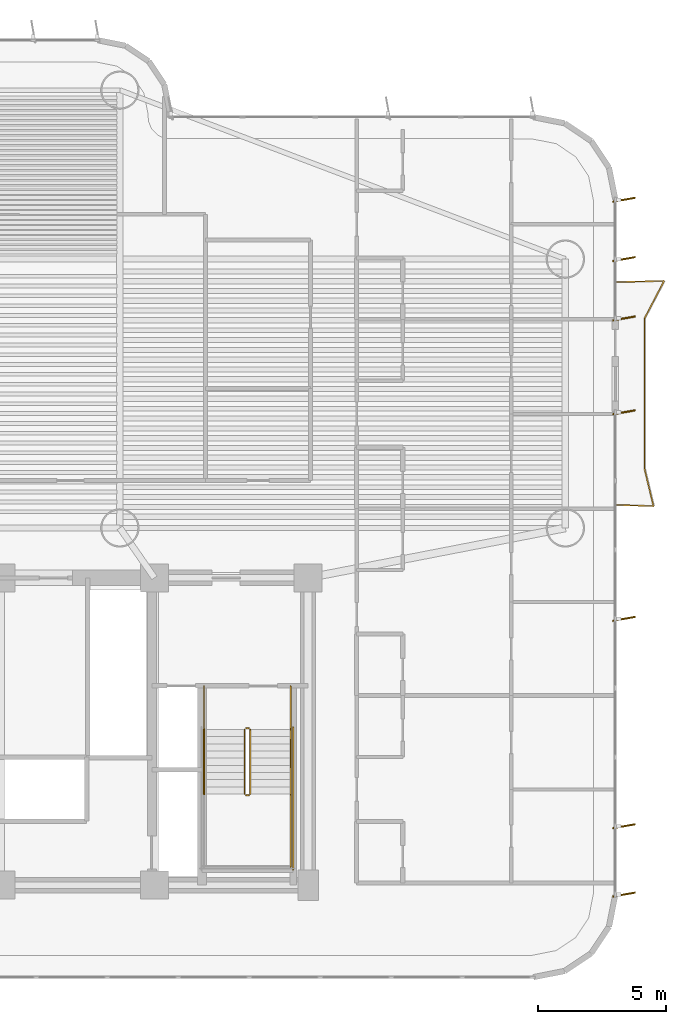
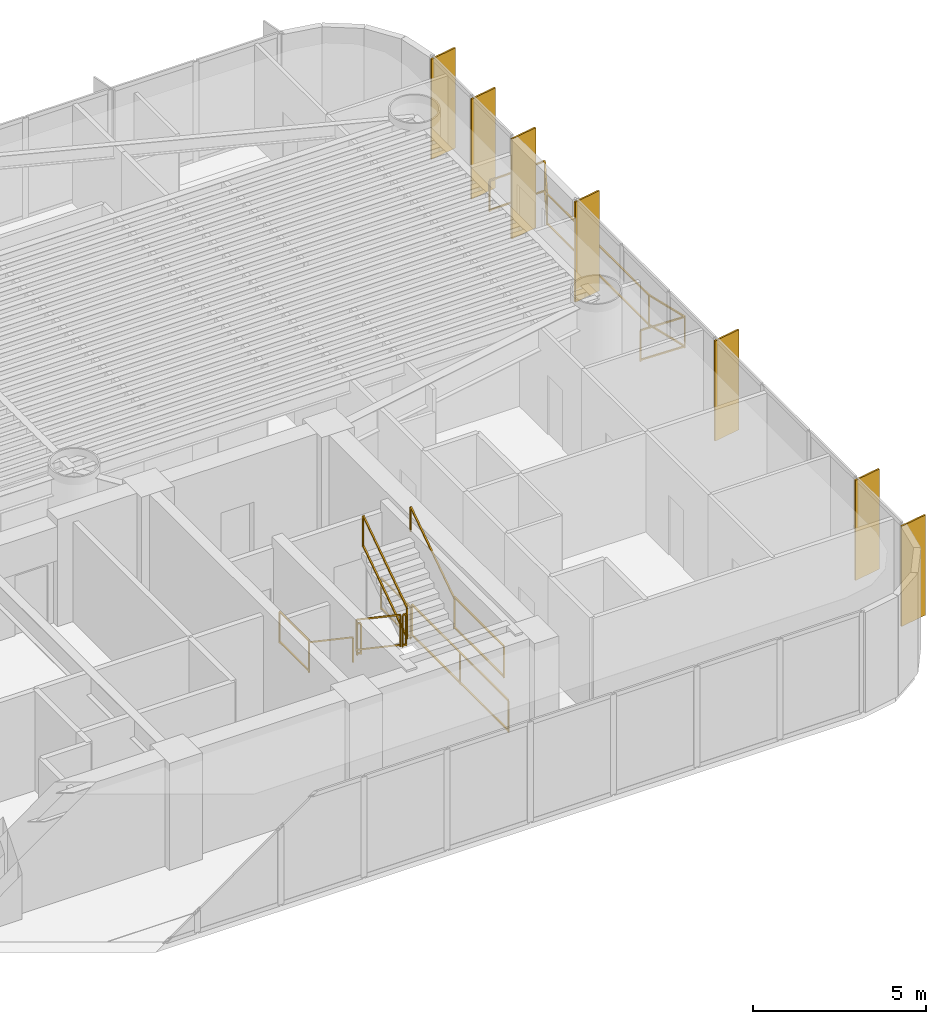
# One storey, part 18 of 19: 11 railings, 7 shading devices.
"""IFC4 building model written with IfcOpenShell, lengths in metres."""

from ifc_helpers import new_model, si_unit, direction, frame, origin, origin_2d, place, context, subcontext, project, spatial, rectangle, extrude, source, transform, mapped, material, layer, layer_set, material_profile, profile_set, type_object, element, save


model = new_model("IFC4")

# Units and contexts
model_context = context("Model", 3, precision=1e-05, world=origin(), true_north=direction((0.0, 1.0)))
body_context = subcontext(model_context, "Body", "Model", "MODEL_VIEW")
ifc_project = project(units=[si_unit("LENGTHUNIT", "METRE"), si_unit("AREAUNIT", "SQUARE_METRE"), si_unit("VOLUMEUNIT", "CUBIC_METRE"), si_unit("PLANEANGLEUNIT", "RADIAN"), si_unit("MASSUNIT", "GRAM", prefix="KILO")], contexts=[model_context])

# Site, building, storey
site_placement = place(None, origin())
site = spatial("IfcSite", under=ifc_project, at=site_placement, CompositionType="ELEMENT")
building_placement = place(site_placement, origin())
building = spatial("IfcBuilding", under=site, at=building_placement, Name="Brelvock Crest Care Tower", CompositionType="ELEMENT")
storey_placement = place(building_placement, frame((0.0, 0.0, 30.780029296875)))
storey = spatial("IfcBuildingStorey", under=building, at=storey_placement, Name="L07", CompositionType="ELEMENT", Elevation=30.780029296875)

# Railings
ifc_material_1 = material(Name="Dark Glass Double Glazed Low-E", Category="glass")
ifc_layer_1 = layer(ifc_material_1, 0.06005859375, Name="RL-BAL1")
ifc_layer_set_1 = layer_set([ifc_layer_1], Name="Dark Glass Double Glazed Low-E")
railing_type_1 = type_object("IfcRailingType", Name="RL-BAL1", PredefinedType="BALUSTRADE", material=ifc_layer_set_1)
railing_1_placement = place(storey_placement, frame((60.0400390625, 20.85009765625, 0.00390625)))
element("IfcRailing", 1, at=railing_1_placement, inside=storey, type_object=railing_type_1, Name="L07 Safety Balustrade WB-E", PredefinedType="BALUSTRADE", context=body_context, shape_type="SweptSolid", body=[
    extrude(rectangle(XDim=0.048095703125, YDim=0.048095703125, at=origin_2d()), frame((0.001953125, 0.0, 1.09619140625), z_axis=(0.999404799616, -0.034497050669, 0.0), x_axis=(0.034497050669, 0.999404799616, 0.0)), (0.0, 0.0, 1.0), 1.44677734375),
    extrude(rectangle(XDim=0.048095703125, YDim=0.048095703125, at=origin_2d()), frame((0.001953125, 0.0, 0.054931640625), z_axis=(0.999404799616, -0.034497050669, 0.0), x_axis=(0.034497050669, 0.999404799616, 0.0)), (0.0, 0.0, 1.0), 1.44677734375),
    extrude(rectangle(XDim=0.048095703125, YDim=0.048095703125, at=origin_2d()), frame((1.449462890625, -0.048095703125, 1.09619140625), z_axis=(-0.232196944837, 0.972668791937, 0.0), x_axis=(-0.972668791937, -0.232196944837, 0.0)), (0.0, 0.0, 1.0), 1.503662109375),
    extrude(rectangle(XDim=0.048095703125, YDim=0.048095703125, at=origin_2d()), frame((1.449462890625, -0.048095703125, 0.054931640625), z_axis=(-0.232196944837, 0.972668791937, 0.0), x_axis=(-0.972668791937, -0.232196944837, 0.0)), (0.0, 0.0, 1.0), 1.503662109375),
    extrude(rectangle(XDim=0.048095703125, YDim=0.048095703125, at=origin_2d()), frame((1.099853515625, 1.41845703125, 1.09619140625), z_axis=(0.000124843944, 0.999999992207, 0.0), x_axis=(-0.999999992207, 0.000124843944, 0.0)), (0.0, 0.0, 1.0), 5.86279296875),
    extrude(rectangle(XDim=0.048095703125, YDim=0.048095703125, at=origin_2d()), frame((1.099853515625, 1.41845703125, 0.054931640625), z_axis=(0.000124843944, 0.999999992207, 0.0), x_axis=(-0.999999992207, 0.000124843944, 0.0)), (0.0, 0.0, 1.0), 5.86279296875),
    extrude(rectangle(XDim=0.048095703125, YDim=0.048095703125, at=origin_2d()), frame((1.1015625, 7.284912109375, 1.09619140625), z_axis=(0.463191013929, 0.88625847506, 0.0), x_axis=(-0.88625847506, 0.463191013929, 0.0)), (0.0, 0.0, 1.0), 1.651123046875),
    extrude(rectangle(XDim=0.048095703125, YDim=0.048095703125, at=origin_2d()), frame((1.1015625, 7.284912109375, 0.054931640625), z_axis=(0.463191013929, 0.88625847506, 0.0), x_axis=(-0.88625847506, 0.463191013929, 0.0)), (0.0, 0.0, 1.0), 1.651123046875),
    extrude(rectangle(XDim=0.048095703125, YDim=0.048095703125, at=origin_2d()), frame((1.865234375, 8.75, 1.09619140625), z_axis=(-0.999640955712, -0.026794769341, 0.0), x_axis=(0.026794769341, -0.999640955712, 0.0)), (0.0, 0.0, 1.0), 1.86376953125),
    extrude(rectangle(XDim=0.048095703125, YDim=0.048095703125, at=origin_2d()), frame((1.865234375, 8.75, 0.054931640625), z_axis=(-0.999640955712, -0.026794769341, 0.0), x_axis=(0.026794769341, -0.999640955712, 0.0)), (0.0, 0.0, 1.0), 1.86376953125),
    extrude(rectangle(XDim=0.0419921875, YDim=0.0419921875, at=origin_2d()), origin(), (0.0, 0.0, 1.0), 1.070068359375),
    extrude(rectangle(XDim=0.0419921875, YDim=0.0419921875, at=origin_2d()), frame((1.449951171875, -0.050048828125, 0.0)), (0.0, 0.0, 1.0), 1.070068359375),
    extrude(rectangle(XDim=0.0419921875, YDim=0.0419921875, at=origin_2d()), frame((1.099853515625, 1.41650390625, 0.0)), (0.0, 0.0, 1.0), 1.070068359375),
    extrude(rectangle(XDim=0.0419921875, YDim=0.0419921875, at=origin_2d()), frame((1.10009765625, 4.349853515625, 0.0)), (0.0, 0.0, 1.0), 1.070068359375),
    extrude(rectangle(XDim=0.0419921875, YDim=0.0419921875, at=origin_2d()), frame((1.1005859375, 7.283203125, 0.0)), (0.0, 0.0, 1.0), 1.070068359375),
    extrude(rectangle(XDim=0.0419921875, YDim=0.0419921875, at=origin_2d()), frame((1.8671875, 8.75, 0.0)), (0.0, 0.0, 1.0), 1.070068359375),
    extrude(rectangle(XDim=0.0419921875, YDim=0.0419921875, at=origin_2d()), frame((0.0, 8.699951171875, 0.0)), (0.0, 0.0, 1.0), 1.070068359375),
])
ifc_material_2 = material(Name="Steel Grade 350", Category="steel")
ifc_layer_2 = layer(ifc_material_2, 0.050048828125, Name="RL-STG1")
ifc_layer_set_2 = layer_set([ifc_layer_2], Name="Steel Grade 350")
railing_type_2 = type_object("IfcRailingType", Name="RL-STG1", PredefinedType="GUARDRAIL", material=ifc_layer_set_2)
railing_2_placement = place(storey_placement, frame((45.52001953125, 12.080078125, 0.18896484375)))
element("IfcRailing", 2, at=railing_2_placement, inside=storey, type_object=railing_type_2, Name="L07 ST-2 stair guard 1", PredefinedType="GUARDRAIL", context=body_context, shape_type="SweptSolid", body=[
    extrude(rectangle(XDim=0.048095703125, YDim=0.048095703125, at=origin_2d()), frame((0.0, -0.001708984375, 1.116943359375), z_axis=(0.0, -0.828861706735, 0.559453546873), x_axis=(1.0, 0.0, 0.0)), (0.0, 0.0, 1.0), 3.036376953125),
    extrude(rectangle(XDim=0.048095703125, YDim=0.048095703125, at=origin_2d()), frame((0.0, -0.001708984375, 0.05615234375), z_axis=(0.0, -0.828861706735, 0.559453546873), x_axis=(1.0, 0.0, 0.0)), (0.0, 0.0, 1.0), 3.036376953125),
    extrude(rectangle(XDim=0.0419921875, YDim=0.0419921875, at=origin_2d()), origin(), (0.0, 0.0, 1.0), 1.08984375),
    extrude(rectangle(XDim=0.0419921875, YDim=0.0419921875, at=origin_2d()), frame((0.0, -2.52001953125, 1.700927734375)), (0.0, 0.0, 1.0), 1.08984375),
])
railing_3_placement = place(storey_placement, frame((45.570068359375, 9.510009765625, 1.889892578125)))
element("IfcRailing", 3, at=railing_3_placement, inside=storey, type_object=railing_type_2, Name="L07 ST-2 stair guard 2", PredefinedType="GUARDRAIL", context=body_context, shape_type="SweptSolid", body=[
    extrude(rectangle(XDim=0.048095703125, YDim=0.048095703125, at=origin_2d()), frame((0.001953125, 0.0, 1.11572265625), z_axis=(1.0, 0.0, 0.0), x_axis=(0.0, 1.0, 0.0)), (0.0, 0.0, 1.0), 0.115966796875),
    extrude(rectangle(XDim=0.048095703125, YDim=0.048095703125, at=origin_2d()), frame((0.001953125, 0.0, 0.054931640625), z_axis=(1.0, 0.0, 0.0), x_axis=(0.0, 1.0, 0.0)), (0.0, 0.0, 1.0), 0.115966796875),
    extrude(rectangle(XDim=0.0419921875, YDim=0.0419921875, at=origin_2d()), origin(), (0.0, 0.0, 1.0), 1.08984375),
    extrude(rectangle(XDim=0.0419921875, YDim=0.0419921875, at=origin_2d()), frame((0.119873046875, 0.0, 0.0)), (0.0, 0.0, 1.0), 1.08984375),
])
railing_4_placement = place(storey_placement, frame((47.320068359375, 9.56005859375, 1.889892578125)))
element("IfcRailing", 4, at=railing_4_placement, inside=storey, type_object=railing_type_2, Name="L07 ST-2 stair guard 4", PredefinedType="GUARDRAIL", context=body_context, shape_type="SweptSolid", body=[
    extrude(rectangle(XDim=0.048095703125, YDim=0.048095703125, at=origin_2d()), frame((0.0, -0.001953125, 1.11572265625), z_axis=(0.0, -1.0, 0.0), x_axis=(1.0, 0.0, 0.0)), (0.0, 0.0, 1.0), 2.856201171875),
    extrude(rectangle(XDim=0.048095703125, YDim=0.048095703125, at=origin_2d()), frame((0.0, -0.001953125, 0.054931640625), z_axis=(0.0, -1.0, 0.0), x_axis=(1.0, 0.0, 0.0)), (0.0, 0.0, 1.0), 2.856201171875),
    extrude(rectangle(XDim=0.0419921875, YDim=0.0419921875, at=origin_2d()), origin(), (0.0, 0.0, 1.0), 1.08984375),
    extrude(rectangle(XDim=0.0419921875, YDim=0.0419921875, at=origin_2d()), frame((0.0, -2.860107421875, 0.0)), (0.0, 0.0, 1.0), 1.08984375),
])
railing_5_placement = place(storey_placement, frame((45.739990234375, 9.56005859375, 2.078857421875)))
element("IfcRailing", 5, at=railing_5_placement, inside=storey, type_object=railing_type_2, Name="L07 ST-2 stair guard 6", PredefinedType="GUARDRAIL", context=body_context, shape_type="SweptSolid", body=[
    extrude(rectangle(XDim=0.048095703125, YDim=0.048095703125, at=origin_2d()), frame((0.0, 0.001708984375, 1.116943359375), z_axis=(0.0, 0.82882447046, 0.559508710537), x_axis=(-1.0, 0.0, 0.0)), (0.0, 0.0, 1.0), 3.036376953125),
    extrude(rectangle(XDim=0.048095703125, YDim=0.048095703125, at=origin_2d()), frame((0.0, 0.001708984375, 0.05615234375), z_axis=(0.0, 0.82882447046, 0.559508710537), x_axis=(-1.0, 0.0, 0.0)), (0.0, 0.0, 1.0), 3.036376953125),
    extrude(rectangle(XDim=0.0419921875, YDim=0.0419921875, at=origin_2d()), origin(), (0.0, 0.0, 1.0), 1.08984375),
    extrude(rectangle(XDim=0.0419921875, YDim=0.0419921875, at=origin_2d()), frame((0.0, 2.52001953125, 1.701171875)), (0.0, 0.0, 1.0), 1.08984375),
])
railing_6_placement = place(storey_placement, frame((45.570068359375, 12.1298828125, 0.0)))
element("IfcRailing", 6, at=railing_6_placement, inside=storey, type_object=railing_type_2, Name="L07 ST-2 stair guard 7", PredefinedType="GUARDRAIL", context=body_context, shape_type="SweptSolid", body=[
    extrude(rectangle(XDim=0.048095703125, YDim=0.048095703125, at=origin_2d()), frame((0.001953125, 0.0, 1.11572265625), z_axis=(1.0, 0.0, 0.0), x_axis=(0.0, 1.0, 0.0)), (0.0, 0.0, 1.0), 0.115966796875),
    extrude(rectangle(XDim=0.048095703125, YDim=0.048095703125, at=origin_2d()), frame((0.001953125, 0.0, 0.054931640625), z_axis=(1.0, 0.0, 0.0), x_axis=(0.0, 1.0, 0.0)), (0.0, 0.0, 1.0), 0.115966796875),
    extrude(rectangle(XDim=0.0419921875, YDim=0.0419921875, at=origin_2d()), origin(), (0.0, 0.0, 1.0), 1.08984375),
    extrude(rectangle(XDim=0.0419921875, YDim=0.0419921875, at=origin_2d()), frame((0.119873046875, 0.0, 0.0)), (0.0, 0.0, 1.0), 1.08984375),
])
for number, where, name in (
    (7, (43.93994140625, 13.780029296875, 0.0), "L07 ST-2 stair guard 8"),
    (8, (47.320068359375, 13.780029296875, 0.0), "L07 ST-2 stair guard 9"),
):
    element("IfcRailing", number, at=place(storey_placement, frame(where)), inside=storey, type_object=railing_type_2, Name=name, PredefinedType="GUARDRAIL", context=body_context, shape_type="SweptSolid", body=[
        extrude(rectangle(XDim=0.048095703125, YDim=0.048095703125, at=origin_2d()), frame((0.0, -0.001953125, 1.11572265625), z_axis=(0.0, -1.0, 0.0), x_axis=(1.0, 0.0, 0.0)), (0.0, 0.0, 1.0), 1.696044921875),
        extrude(rectangle(XDim=0.048095703125, YDim=0.048095703125, at=origin_2d()), frame((0.0, -0.001953125, 0.054931640625), z_axis=(0.0, -1.0, 0.0), x_axis=(1.0, 0.0, 0.0)), (0.0, 0.0, 1.0), 1.696044921875),
        extrude(rectangle(XDim=0.0419921875, YDim=0.0419921875, at=origin_2d()), origin(), (0.0, 0.0, 1.0), 1.08984375),
        extrude(rectangle(XDim=0.0419921875, YDim=0.0419921875, at=origin_2d()), frame((0.0, -1.699951171875, 0.0)), (0.0, 0.0, 1.0), 1.08984375),
    ])
railing_7_placement = place(storey_placement, frame((47.419921875, 12.179931640625, 0.0)))
element("IfcRailing", 9, at=railing_7_placement, inside=storey, type_object=railing_type_2, Name="L07 ST-2 stair guard 11", PredefinedType="GUARDRAIL", context=body_context, shape_type="SweptSolid", body=[
    extrude(rectangle(XDim=0.048095703125, YDim=0.048095703125, at=origin_2d()), frame((0.0, -0.001953125, 1.11572265625), z_axis=(0.0, -1.0, 0.0), x_axis=(1.0, 0.0, 0.0)), (0.0, 0.0, 1.0), 5.575927734375),
    extrude(rectangle(XDim=0.048095703125, YDim=0.048095703125, at=origin_2d()), frame((0.0, -0.001953125, 0.054931640625), z_axis=(0.0, -1.0, 0.0), x_axis=(1.0, 0.0, 0.0)), (0.0, 0.0, 1.0), 5.575927734375),
    extrude(rectangle(XDim=0.0419921875, YDim=0.0419921875, at=origin_2d()), origin(), (0.0, 0.0, 1.0), 1.08984375),
    extrude(rectangle(XDim=0.0419921875, YDim=0.0419921875, at=origin_2d()), frame((0.0, -2.7900390625, 0.0)), (0.0, 0.0, 1.0), 1.08984375),
    extrude(rectangle(XDim=0.0419921875, YDim=0.0419921875, at=origin_2d()), frame((0.0, -5.579833984375, 0.0)), (0.0, 0.0, 1.0), 1.08984375),
])
ifc_layer_3 = layer(ifc_material_2, 0.048095703125, Name="RL-STH1")
ifc_layer_set_3 = layer_set([ifc_layer_3], Name="Steel Grade 350")
railing_type_3 = type_object("IfcRailingType", Name="RL-STH1", PredefinedType="HANDRAIL", material=ifc_layer_set_3)
railing_8_placement = place(storey_placement, frame((43.93994140625, 12.080078125, 0.18896484375)))
element("IfcRailing", 10, at=railing_8_placement, inside=storey, type_object=railing_type_3, Name="L07 ST-2 stair handrail 1", PredefinedType="HANDRAIL", context=body_context, shape_type="SweptSolid", body=[
    extrude(rectangle(XDim=0.048095703125, YDim=0.048095703125, at=origin_2d()), frame((0.0, -0.001708984375, 0.876953125), z_axis=(0.0, -0.828861706735, 0.559453546873), x_axis=(1.0, 0.0, 0.0)), (0.0, 0.0, 1.0), 3.036376953125),
    extrude(rectangle(XDim=0.0419921875, YDim=0.0419921875, at=origin_2d()), origin(), (0.0, 0.0, 1.0), 0.849853515625),
    extrude(rectangle(XDim=0.0419921875, YDim=0.0419921875, at=origin_2d()), frame((0.0, -2.52001953125, 1.700927734375)), (0.0, 0.0, 1.0), 0.849853515625),
])
railing_9_placement = place(storey_placement, frame((47.320068359375, 9.56005859375, 2.078857421875)))
element("IfcRailing", 11, at=railing_9_placement, inside=storey, type_object=railing_type_3, Name="L07 ST-2 stair handrail 2", PredefinedType="HANDRAIL", context=body_context, shape_type="SweptSolid", body=[
    extrude(rectangle(XDim=0.048095703125, YDim=0.048095703125, at=origin_2d()), frame((0.0, 0.001708984375, 0.876953125), z_axis=(0.0, 0.82882447046, 0.559508710537), x_axis=(-1.0, 0.0, 0.0)), (0.0, 0.0, 1.0), 3.036376953125),
    extrude(rectangle(XDim=0.0419921875, YDim=0.0419921875, at=origin_2d()), origin(), (0.0, 0.0, 1.0), 0.849853515625),
    extrude(rectangle(XDim=0.0419921875, YDim=0.0419921875, at=origin_2d()), frame((0.0, 2.52001953125, 1.701171875)), (0.0, 0.0, 1.0), 0.849853515625),
])

# Shading devices
ifc_material_3 = material(Name="Aluminium 6063-T6", Category="aluminium")
ifc_material_profile = material_profile(ifc_material_3, rectangle(XDim=0.054931640625, YDim=0.89990234375, at=origin_2d()), Name="FIN55x900")
ifc_profile_set = profile_set([ifc_material_profile], Name="Aluminium 6063-T6")
shading_device_type = type_object("IfcShadingDeviceType", Name="SHD-FIN1", PredefinedType="USERDEFINED", material=ifc_profile_set)
shared_shape = source(origin(), body_context, "Body", "SweptSolid", [
    extrude(rectangle(XDim=0.054931640625, YDim=0.89990234375, at=origin_2d()), origin(), (0.0, 0.0, 1.0), 3.530029296875),
])
for number, where, z_axis, x_axis, name in (
    (12, (60.340087890625, 32.767578125, 0.0), (0.0, 0.0, 1.0), (0.173648177667, -0.984807753012, 0.0), "L07 Vertical Sunshade Fin E03A-01"),
    (13, (60.340087890625, 30.449951171875, 0.0), (0.0, 0.0, 1.0), (0.173648177667, -0.984807753012, 0.0), "L07 Vertical Sunshade Fin E03A-02"),
    (14, (60.340087890625, 28.132568359375, 0.0), (0.0, 0.0, 1.0), (0.173648177667, -0.984807753012, 0.0), "L07 Vertical Sunshade Fin E03A-03"),
    (15, (60.340087890625, 24.467529296875, 0.0), (0.0, 0.0, 1.0), (0.173648177667, -0.984807753012, 0.0), "L07 Vertical Sunshade Fin E03B-01"),
    (16, (60.340087890625, 16.39990234375, 0.0), (0.0, 0.0, 1.0), (0.173648177667, -0.984807753012, 0.0), "L07 Vertical Sunshade Fin E03B-04"),
    (17, (60.340087890625, 8.300048828125, 0.0), (0.0, 0.0, 1.0), (0.173648177667, -0.984807753012, 0.0), "L07 Vertical Sunshade Fin E03B-07"),
    (18, (60.340087890625, 5.632568359375, 0.0), (0.0, 0.0, 1.0), (0.173648177667, -0.984807753012, 0.0), "L07 Vertical Sunshade Fin E03B-08"),
):
    element("IfcShadingDevice", number, at=place(storey_placement, frame(where, z_axis=z_axis, x_axis=x_axis)), inside=storey, type_object=shading_device_type, Name=name, ObjectType="FIN", PredefinedType="USERDEFINED", context=body_context, shape_type="MappedRepresentation", body=[
        mapped(shared_shape, transform((0.0, 0.0, 0.0), x_axis=(1.0, 0.0, 0.0), y_axis=(0.0, 1.0, 0.0), z_axis=(0.0, 0.0, 1.0), scale=1.0)),
    ])

save(model, "model.ifc")
